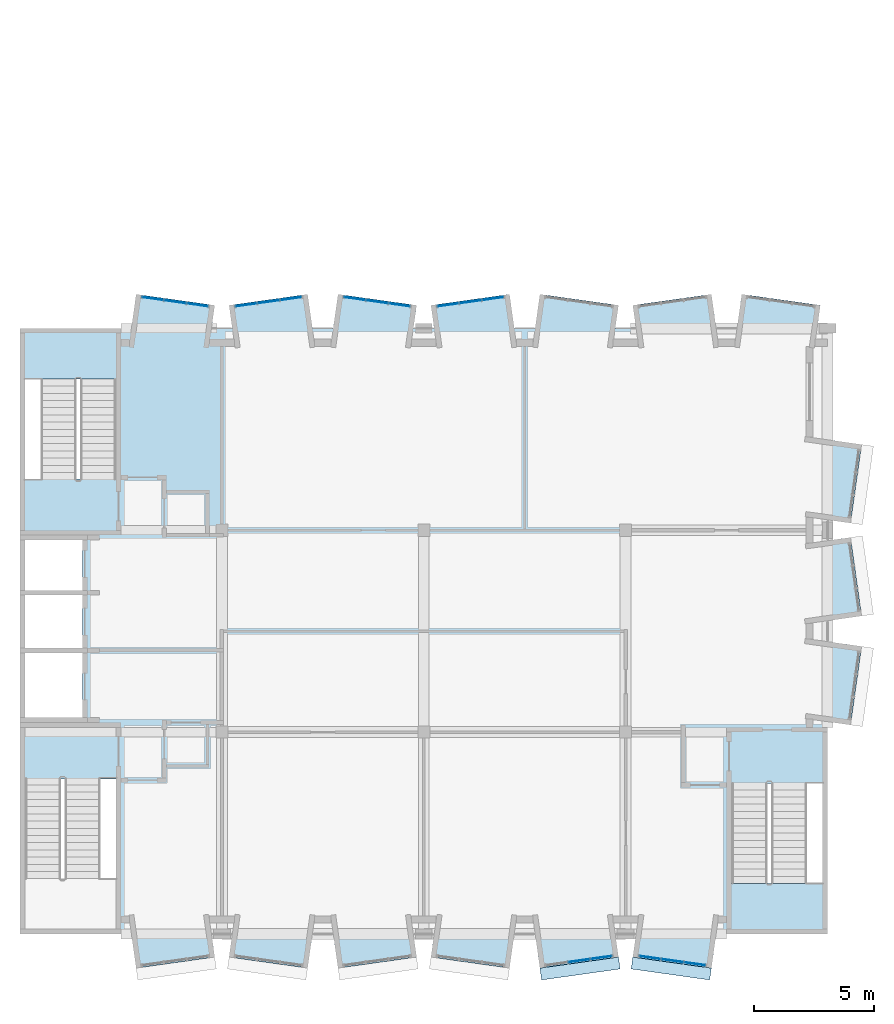
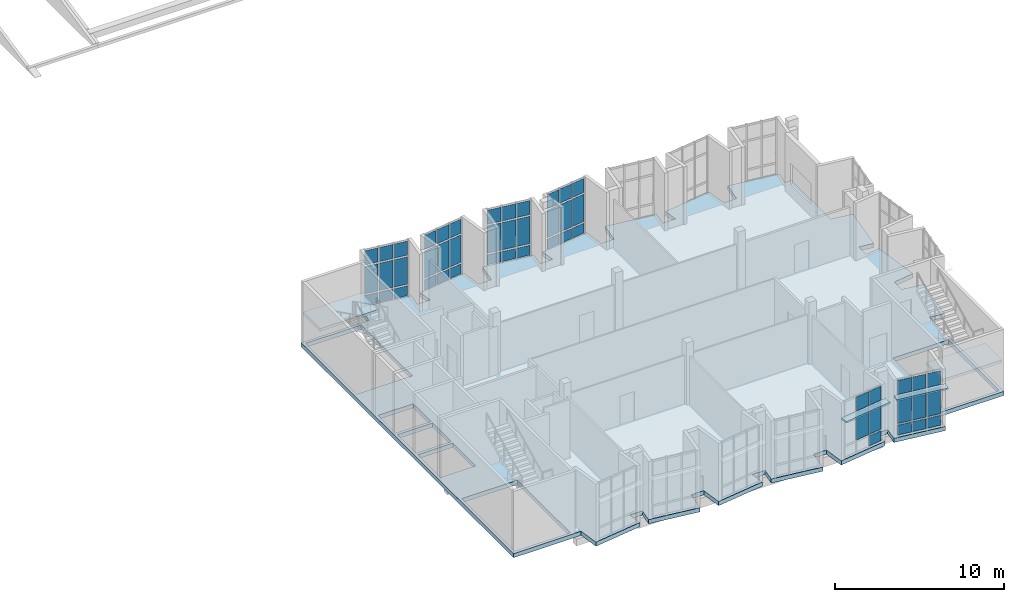
# One storey, part 9 of 18: 52 plates, 3 slabs, 8 elements without a shape of their own.
"""IFC4 building model written with IfcOpenShell, lengths in metres."""

from ifc_helpers import new_model, si_unit, direction, frame, origin, origin_2d, place, context, subcontext, project, spatial, polyline, rectangle, outline, extrude, material, layer, layer_set, type_object, element, aggregate, save


model = new_model("IFC4")

# Units and contexts
model_context = context("Model", 3, precision=1e-05, world=origin(), true_north=direction((0.0, 1.0)))
body_context = subcontext(model_context, "Body", "Model", "MODEL_VIEW")
ifc_project = project(units=[si_unit("LENGTHUNIT", "METRE"), si_unit("AREAUNIT", "SQUARE_METRE"), si_unit("VOLUMEUNIT", "CUBIC_METRE"), si_unit("PLANEANGLEUNIT", "RADIAN"), si_unit("MASSUNIT", "GRAM", prefix="KILO")], contexts=[model_context])

# Site, building, storey
site_placement = place(None, origin())
site = spatial("IfcSite", under=ifc_project, at=site_placement, CompositionType="ELEMENT")
building_placement = place(site_placement, origin())
building = spatial("IfcBuilding", under=site, at=building_placement, Name="Kiln Court Media Centre", CompositionType="ELEMENT")
storey_placement = place(building_placement, frame((0.0, 0.0, 33.60009765625)))
storey = spatial("IfcBuildingStorey", under=building, at=storey_placement, Name="L07", CompositionType="ELEMENT", Elevation=33.60009765625)

# Slab
ifc_material_1 = material(Name="Concrete C30/37", Category="concrete")
ifc_layer_1 = layer(ifc_material_1, 0.300048828125)
ifc_layer_set_1 = layer_set([ifc_layer_1], Name="Concrete C30/37 floor slab 300")
slab_type_1 = type_object("IfcSlabType", Name="Concrete C30/37 floor slab 300", PredefinedType="FLOOR", material=ifc_layer_set_1)
slab_1_placement = place(storey_placement, frame((0.0, 0.0, -0.300048828125)))
element("IfcSlab", 1, at=slab_1_placement, inside=storey, type_object=slab_type_1, Name="L07-SL-1000", PredefinedType="FLOOR", context=body_context, shape_type="SweptSolid", body=[
    extrude(outline(polyline([(4.8330078125, -1.41845703125), (4.63330078125, 0.0), (0.0, 0.0), (0.0, 25.199951171875), (4.63330078125, 25.199951171875), (4.8330078125, 26.618408203125), (8.10107421875, 26.1591796875), (7.966796875, 25.199951171875), (8.833251953125, 25.199951171875), (8.698974609375, 26.1591796875), (11.966796875, 26.618408203125), (12.166748046875, 25.199951171875), (13.033203125, 25.199951171875), (13.23291015625, 26.618408203125), (16.501220703125, 26.1591796875), (16.36669921875, 25.199951171875), (17.2333984375, 25.199951171875), (17.098876953125, 26.1591796875), (20.366943359375, 26.618408203125), (20.566650390625, 25.199951171875), (21.433349609375, 25.199951171875), (21.633056640625, 26.618408203125), (24.901123046875, 26.1591796875), (24.7666015625, 25.199951171875), (25.63330078125, 25.199951171875), (25.498779296875, 26.1591796875), (28.766845703125, 26.618408203125), (28.966796875, 25.199951171875), (29.833251953125, 25.199951171875), (30.032958984375, 26.618408203125), (33.30126953125, 26.1591796875), (33.166748046875, 25.199951171875), (33.60009765625, 25.199951171875), (33.60009765625, 20.566650390625), (35.0185546875, 20.366943359375), (34.55908203125, 17.098876953125), (33.60009765625, 17.2333984375), (33.60009765625, 16.36669921875), (34.55908203125, 16.501220703125), (35.0185546875, 13.233154296875), (33.60009765625, 13.033203125), (33.60009765625, 12.166748046875), (35.0185546875, 11.966796875), (34.55908203125, 8.698974609375), (33.60009765625, 8.833251953125), (33.60009765625, 0.0), (28.966796875, 0.0), (28.766845703125, -1.41845703125), (25.498779296875, -0.958984375), (25.63330078125, 0.0), (24.7666015625, 0.0), (24.901123046875, -0.959228515625), (21.633056640625, -1.41845703125), (21.433349609375, 0.0), (20.566650390625, 0.0), (20.366943359375, -1.41845703125), (17.098876953125, -0.958984375), (17.2333984375, 0.0), (16.36669921875, 0.0), (16.501220703125, -0.959228515625), (13.233154296875, -1.41845703125), (13.033203125, 0.0), (12.166748046875, 0.0), (11.966796875, -1.41845703125), (8.698974609375, -0.959228515625), (8.833251953125, 0.0), (7.966796875, 0.0), (8.10107421875, -0.958984375), (4.8330078125, -1.41845703125)]), holes=[polyline([(0.199951171875, 0.199951171875), (4.0, 0.199951171875), (4.0, 6.4599609375), (0.199951171875, 6.4599609375), (0.199951171875, 0.199951171875)]), polyline([(29.60009765625, 0.199951171875), (33.39990234375, 0.199951171875), (33.39990234375, 6.260009765625), (29.60009765625, 6.260009765625), (29.60009765625, 0.199951171875)]), polyline([(0.199951171875, 9.0), (2.60009765625, 9.0), (2.60009765625, 11.699951171875), (0.199951171875, 11.699951171875), (0.199951171875, 9.0)]), polyline([(0.199951171875, 11.89990234375), (2.60009765625, 11.89990234375), (2.60009765625, 14.10009765625), (0.199951171875, 14.10009765625), (0.199951171875, 11.89990234375)]), polyline([(0.199951171875, 14.300048828125), (2.60009765625, 14.300048828125), (2.60009765625, 16.39990234375), (0.199951171875, 16.39990234375), (0.199951171875, 14.300048828125)]), polyline([(0.199951171875, 18.93994140625), (4.0, 18.93994140625), (4.0, 25.0), (0.199951171875, 25.0), (0.199951171875, 18.93994140625)])]), origin(), (0.0, 0.0, 1.0), 0.300048828125),
])

# Plates
ifc_material_2 = material(Name="Concrete C30/37", Category="concrete")
ifc_layer_2 = layer(ifc_material_2, 0.1201171875)
ifc_layer_set_2 = layer_set([ifc_layer_2], Name="Concrete C30/37 sunshade hood 120")
plate_type_1 = type_object("IfcPlateType", Name="Concrete C30/37 sunshade hood 120", PredefinedType="USERDEFINED", material=ifc_layer_set_2)
plate_1_placement = place(storey_placement, frame((0.0, 0.0, 3.0)))
element("IfcPlate", 2, at=plate_1_placement, inside=storey, type_object=plate_type_1, Name="SUNSHADE V6A-S-L07-51", ObjectType="SUNSHADE", PredefinedType="USERDEFINED", context=body_context, shape_type="SweptSolid", body=[
    extrude(outline(polyline([(21.633056640625, -1.41796875), (24.90087890625, -0.958740234375), (24.970458984375, -1.453857421875), (21.70263671875, -1.9130859375), (21.633056640625, -1.41796875)])), origin(), (0.0, 0.0, 1.0), 0.119873046875),
])
plate_2_placement = place(storey_placement, frame((0.0, 0.0, 3.0)))
element("IfcPlate", 3, at=plate_2_placement, inside=storey, type_object=plate_type_1, Name="SUNSHADE V6A-S-L07-52", ObjectType="SUNSHADE", PredefinedType="USERDEFINED", context=body_context, shape_type="SweptSolid", body=[
    extrude(outline(polyline([(25.4990234375, -0.958740234375), (28.766845703125, -1.41796875), (28.697265625, -1.9130859375), (25.429443359375, -1.453857421875), (25.4990234375, -0.958740234375)])), origin(), (0.0, 0.0, 1.0), 0.119873046875),
])

# Stair, slab
ifc_material_3 = material(Name="Concrete C40/50", Category="concrete")
stair_type = type_object("IfcStairType", Name="Concrete C40/50 dog-leg stair 1500 wide, 150 riser", PredefinedType="HALF_TURN_STAIR", material=ifc_material_3)
stair_1_placement = place(storey_placement, origin())
stair_1 = element("IfcStair", 4, at=stair_1_placement, inside=storey, type_object=stair_type, Name="ST-02 L07", PredefinedType="HALF_TURN_STAIR")
ifc_material_4 = material(Name="Concrete C40/50", Category="concrete")
ifc_layer_3 = layer(ifc_material_4, 0.199951171875)
ifc_layer_set_3 = layer_set([ifc_layer_3], Name="Concrete C40/50 stair landing 200")
slab_type_2 = type_object("IfcSlabType", Name="Concrete C40/50 stair landing 200", PredefinedType="LANDING", material=ifc_layer_set_3)
slab_2_placement = place(storey_placement, frame((0.0, 0.0, 2.0498046875)))
slab_2 = element("IfcSlab", 5, at=slab_2_placement, type_object=slab_type_2, Name="L07-ST-5001 landing 5001", PredefinedType="LANDING", context=body_context, shape_type="SweptSolid", body=[
    extrude(outline(polyline([(4.1201171875, 23.10009765625), (4.1201171875, 25.1201171875), (0.080078125, 25.1201171875), (0.080078125, 23.10009765625), (4.1201171875, 23.10009765625)])), origin(), (0.0, 0.0, 1.0), 0.2001953125),
])
aggregate(stair_1, [slab_2])

stair_2_placement = place(storey_placement, origin())
stair_2 = element("IfcStair", 6, at=stair_2_placement, inside=storey, type_object=stair_type, Name="ST-03 L07", PredefinedType="HALF_TURN_STAIR")
slab_3_placement = place(storey_placement, frame((0.0, 0.0, 2.0498046875)))
slab_3 = element("IfcSlab", 7, at=slab_3_placement, type_object=slab_type_2, Name="L07-ST-5002 landing 5002", PredefinedType="LANDING", context=body_context, shape_type="SweptSolid", body=[
    extrude(outline(polyline([(29.47998046875, 2.10009765625), (29.47998046875, 0.080078125), (33.52001953125, 0.080078125), (33.52001953125, 2.10009765625), (29.47998046875, 2.10009765625)])), origin(), (0.0, 0.0, 1.0), 0.2001953125),
])
aggregate(stair_2, [slab_3])

# Curtain wall, plates
ifc_material_5 = material(Name="Aluminium 6063-T6", Category="aluminium")
ifc_layer_4 = layer(ifc_material_5, 0.1201171875)
ifc_layer_set_4 = layer_set([ifc_layer_4], Name="Aluminium unitised bay curtain wall")
curtain_wall_type = type_object("IfcCurtainWallType", Name="Aluminium unitised bay curtain wall", PredefinedType="USERDEFINED", material=ifc_layer_set_4)
curtain_wall_1_placement = place(storey_placement, origin())
curtain_wall_1 = element("IfcCurtainWall", 8, at=curtain_wall_1_placement, inside=storey, type_object=curtain_wall_type, Name="BAY V6A-N-L07-45 front", ObjectType="UNITISED CURTAIN WALL", PredefinedType="USERDEFINED")
ifc_material_6 = material(Name="Aluminium insulated spandrel", Category="aluminium")
ifc_layer_5 = layer(ifc_material_6, 0.028076171875)
ifc_layer_set_5 = layer_set([ifc_layer_5], Name="Insulated spandrel panel 28")
plate_type_2 = type_object("IfcPlateType", Name="Insulated spandrel panel 28", PredefinedType="CURTAIN_PANEL", material=ifc_layer_set_5)
plate_3_placement = place(storey_placement, frame((5.5234375, 26.440185546875, 0.1201171875), z_axis=(0.0, 0.0, 1.0), x_axis=(0.990269562409, -0.139162472554, 0.0)))
plate_3 = element("IfcPlate", 9, at=plate_3_placement, type_object=plate_type_2, Name="CW7-04 panel 1.1", PredefinedType="CURTAIN_PANEL", context=body_context, shape_type="SweptSolid", body=[
    extrude(rectangle(XDim=0.86669921875, YDim=0.028076171875, at=origin_2d()), origin(), (0.0, 0.0, 1.0), 0.719970703125),
])
plate_4_placement = place(storey_placement, frame((6.455810546875, 26.30908203125, 0.1201171875), z_axis=(0.0, 0.0, 1.0), x_axis=(0.990269562409, -0.139162472554, 0.0)))
plate_4 = element("IfcPlate", 10, at=plate_4_placement, type_object=plate_type_2, Name="CW7-04 panel 2.1", PredefinedType="CURTAIN_PANEL", context=body_context, shape_type="SweptSolid", body=[
    extrude(rectangle(XDim=0.896728515625, YDim=0.028076171875, at=origin_2d()), origin(), (0.0, 0.0, 1.0), 0.719970703125),
])
plate_5_placement = place(storey_placement, frame((7.388427734375, 26.177978515625, 0.1201171875), z_axis=(0.0, 0.0, 1.0), x_axis=(0.990269562409, -0.139162472554, 0.0)))
plate_5 = element("IfcPlate", 11, at=plate_5_placement, type_object=plate_type_2, Name="CW7-04 panel 3.1", PredefinedType="CURTAIN_PANEL", context=body_context, shape_type="SweptSolid", body=[
    extrude(rectangle(XDim=0.86669921875, YDim=0.028076171875, at=origin_2d()), origin(), (0.0, 0.0, 1.0), 0.719970703125),
])

curtain_wall_2_placement = place(storey_placement, origin())
curtain_wall_2 = element("IfcCurtainWall", 12, at=curtain_wall_2_placement, inside=storey, type_object=curtain_wall_type, Name="BAY V6A-N-L07-46 front", ObjectType="UNITISED CURTAIN WALL", PredefinedType="USERDEFINED")
plate_6_placement = place(storey_placement, frame((9.41162109375, 26.177978515625, 0.1201171875), z_axis=(0.0, 0.0, 1.0), x_axis=(0.990269562409, 0.139162472554, 0.0)))
plate_6 = element("IfcPlate", 13, at=plate_6_placement, type_object=plate_type_2, Name="CW7-05 panel 1.1", PredefinedType="CURTAIN_PANEL", context=body_context, shape_type="SweptSolid", body=[
    extrude(rectangle(XDim=0.86669921875, YDim=0.028076171875, at=origin_2d()), origin(), (0.0, 0.0, 1.0), 0.719970703125),
])
plate_7_placement = place(storey_placement, frame((10.34423828125, 26.30908203125, 0.1201171875), z_axis=(0.0, 0.0, 1.0), x_axis=(0.990269562409, 0.139162472554, 0.0)))
plate_7 = element("IfcPlate", 14, at=plate_7_placement, type_object=plate_type_2, Name="CW7-05 panel 2.1", PredefinedType="CURTAIN_PANEL", context=body_context, shape_type="SweptSolid", body=[
    extrude(rectangle(XDim=0.896728515625, YDim=0.028076171875, at=origin_2d()), origin(), (0.0, 0.0, 1.0), 0.719970703125),
])
plate_8_placement = place(storey_placement, frame((11.276611328125, 26.440185546875, 0.1201171875), z_axis=(0.0, 0.0, 1.0), x_axis=(0.990269562409, 0.139162472554, 0.0)))
plate_8 = element("IfcPlate", 15, at=plate_8_placement, type_object=plate_type_2, Name="CW7-05 panel 3.1", PredefinedType="CURTAIN_PANEL", context=body_context, shape_type="SweptSolid", body=[
    extrude(rectangle(XDim=0.86669921875, YDim=0.028076171875, at=origin_2d()), origin(), (0.0, 0.0, 1.0), 0.719970703125),
])

curtain_wall_3_placement = place(storey_placement, origin())
curtain_wall_3 = element("IfcCurtainWall", 16, at=curtain_wall_3_placement, inside=storey, type_object=curtain_wall_type, Name="BAY V6A-N-L07-47 front", ObjectType="UNITISED CURTAIN WALL", PredefinedType="USERDEFINED")
plate_9_placement = place(storey_placement, frame((13.92333984375, 26.440185546875, 0.1201171875), z_axis=(0.0, 0.0, 1.0), x_axis=(0.990269562409, -0.139162472554, 0.0)))
plate_9 = element("IfcPlate", 17, at=plate_9_placement, type_object=plate_type_2, Name="CW7-06 panel 1.1", PredefinedType="CURTAIN_PANEL", context=body_context, shape_type="SweptSolid", body=[
    extrude(rectangle(XDim=0.86669921875, YDim=0.028076171875, at=origin_2d()), origin(), (0.0, 0.0, 1.0), 0.719970703125),
])
plate_10_placement = place(storey_placement, frame((14.85595703125, 26.30908203125, 0.1201171875), z_axis=(0.0, 0.0, 1.0), x_axis=(0.990269562409, -0.139162472554, 0.0)))
plate_10 = element("IfcPlate", 18, at=plate_10_placement, type_object=plate_type_2, Name="CW7-06 panel 2.1", PredefinedType="CURTAIN_PANEL", context=body_context, shape_type="SweptSolid", body=[
    extrude(rectangle(XDim=0.896728515625, YDim=0.028076171875, at=origin_2d()), origin(), (0.0, 0.0, 1.0), 0.719970703125),
])
plate_11_placement = place(storey_placement, frame((15.788330078125, 26.177978515625, 0.1201171875), z_axis=(0.0, 0.0, 1.0), x_axis=(0.990269562409, -0.139162472554, 0.0)))
plate_11 = element("IfcPlate", 19, at=plate_11_placement, type_object=plate_type_2, Name="CW7-06 panel 3.1", PredefinedType="CURTAIN_PANEL", context=body_context, shape_type="SweptSolid", body=[
    extrude(rectangle(XDim=0.86669921875, YDim=0.028076171875, at=origin_2d()), origin(), (0.0, 0.0, 1.0), 0.719970703125),
])

curtain_wall_4_placement = place(storey_placement, origin())
curtain_wall_4 = element("IfcCurtainWall", 20, at=curtain_wall_4_placement, inside=storey, type_object=curtain_wall_type, Name="BAY V6A-N-L07-48 front", ObjectType="UNITISED CURTAIN WALL", PredefinedType="USERDEFINED")
plate_12_placement = place(storey_placement, frame((17.8115234375, 26.177978515625, 0.1201171875), z_axis=(0.0, 0.0, 1.0), x_axis=(0.990269562409, 0.139162472554, 0.0)))
plate_12 = element("IfcPlate", 21, at=plate_12_placement, type_object=plate_type_2, Name="CW7-07 panel 1.1", PredefinedType="CURTAIN_PANEL", context=body_context, shape_type="SweptSolid", body=[
    extrude(rectangle(XDim=0.86669921875, YDim=0.028076171875, at=origin_2d()), origin(), (0.0, 0.0, 1.0), 0.719970703125),
])
plate_13_placement = place(storey_placement, frame((18.744140625, 26.30908203125, 0.1201171875), z_axis=(0.0, 0.0, 1.0), x_axis=(0.990269562409, 0.139162472554, 0.0)))
plate_13 = element("IfcPlate", 22, at=plate_13_placement, type_object=plate_type_2, Name="CW7-07 panel 2.1", PredefinedType="CURTAIN_PANEL", context=body_context, shape_type="SweptSolid", body=[
    extrude(rectangle(XDim=0.896728515625, YDim=0.028076171875, at=origin_2d()), origin(), (0.0, 0.0, 1.0), 0.719970703125),
])
plate_14_placement = place(storey_placement, frame((19.6767578125, 26.440185546875, 0.1201171875), z_axis=(0.0, 0.0, 1.0), x_axis=(0.990269562409, 0.139162472554, 0.0)))
plate_14 = element("IfcPlate", 23, at=plate_14_placement, type_object=plate_type_2, Name="CW7-07 panel 3.1", PredefinedType="CURTAIN_PANEL", context=body_context, shape_type="SweptSolid", body=[
    extrude(rectangle(XDim=0.86669921875, YDim=0.028076171875, at=origin_2d()), origin(), (0.0, 0.0, 1.0), 0.719970703125),
])

# Curtain wall, plate
curtain_wall_5_placement = place(storey_placement, origin())
curtain_wall_5 = element("IfcCurtainWall", 24, at=curtain_wall_5_placement, inside=storey, type_object=curtain_wall_type, Name="BAY V6A-S-L07-51 front", ObjectType="UNITISED CURTAIN WALL", PredefinedType="USERDEFINED")
plate_15_placement = place(storey_placement, frame((24.1884765625, -0.97802734375, 0.1201171875), z_axis=(0.0, 0.0, 1.0), x_axis=(0.990269562409, 0.139162472554, 0.0)))
plate_15 = element("IfcPlate", 25, at=plate_15_placement, type_object=plate_type_2, Name="CW7-15 panel 3.1", PredefinedType="CURTAIN_PANEL", context=body_context, shape_type="SweptSolid", body=[
    extrude(rectangle(XDim=0.86669921875, YDim=0.028076171875, at=origin_2d()), origin(), (0.0, 0.0, 1.0), 0.719970703125),
])

# Curtain wall, plates
curtain_wall_6_placement = place(storey_placement, origin())
curtain_wall_6 = element("IfcCurtainWall", 26, at=curtain_wall_6_placement, inside=storey, type_object=curtain_wall_type, Name="BAY V6A-S-L07-52 front", ObjectType="UNITISED CURTAIN WALL", PredefinedType="USERDEFINED")
plate_16_placement = place(storey_placement, frame((26.211669921875, -0.97802734375, 0.1201171875), z_axis=(0.0, 0.0, 1.0), x_axis=(0.990269562409, -0.139162472554, 0.0)))
plate_16 = element("IfcPlate", 27, at=plate_16_placement, type_object=plate_type_2, Name="CW7-16 panel 1.1", PredefinedType="CURTAIN_PANEL", context=body_context, shape_type="SweptSolid", body=[
    extrude(rectangle(XDim=0.86669921875, YDim=0.028076171875, at=origin_2d()), origin(), (0.0, 0.0, 1.0), 0.719970703125),
])
plate_17_placement = place(storey_placement, frame((27.14404296875, -1.109130859375, 0.1201171875), z_axis=(0.0, 0.0, 1.0), x_axis=(0.990269562409, -0.139162472554, 0.0)))
plate_17 = element("IfcPlate", 28, at=plate_17_placement, type_object=plate_type_2, Name="CW7-16 panel 2.1", PredefinedType="CURTAIN_PANEL", context=body_context, shape_type="SweptSolid", body=[
    extrude(rectangle(XDim=0.896728515625, YDim=0.028076171875, at=origin_2d()), origin(), (0.0, 0.0, 1.0), 0.719970703125),
])
plate_18_placement = place(storey_placement, frame((28.07666015625, -1.240234375, 0.1201171875), z_axis=(0.0, 0.0, 1.0), x_axis=(0.990269562409, -0.139162472554, 0.0)))
plate_18 = element("IfcPlate", 29, at=plate_18_placement, type_object=plate_type_2, Name="CW7-16 panel 3.1", PredefinedType="CURTAIN_PANEL", context=body_context, shape_type="SweptSolid", body=[
    extrude(rectangle(XDim=0.86669921875, YDim=0.028076171875, at=origin_2d()), origin(), (0.0, 0.0, 1.0), 0.719970703125),
])

# Plate
ifc_material_7 = material(Name="Low-E double glazing", Category="glass")
ifc_layer_6 = layer(ifc_material_7, 0.028076171875)
ifc_layer_set_6 = layer_set([ifc_layer_6], Name="Low-E double glazed panel 28")
plate_type_3 = type_object("IfcPlateType", Name="Low-E double glazed panel 28", PredefinedType="CURTAIN_PANEL", material=ifc_layer_set_6)
plate_19_placement = place(storey_placement, frame((5.5234375, 26.440185546875, 0.9599609375), z_axis=(0.0, 0.0, 1.0), x_axis=(0.990269562409, -0.139162472554, 0.0)))
plate_19 = element("IfcPlate", 30, at=plate_19_placement, type_object=plate_type_3, Name="CW7-04 panel 1.2", PredefinedType="CURTAIN_PANEL", context=body_context, shape_type="SweptSolid", body=[
    extrude(rectangle(XDim=0.86669921875, YDim=0.028076171875, at=origin_2d()), origin(), (0.0, 0.0, 1.0), 1.97998046875),
])

plate_20_placement = place(storey_placement, frame((5.5234375, 26.440185546875, 3.059814453125), z_axis=(0.0, 0.0, 1.0), x_axis=(0.990269562409, -0.139162472554, 0.0)))
plate_20 = element("IfcPlate", 31, at=plate_20_placement, type_object=plate_type_3, Name="CW7-04 panel 1.3", PredefinedType="CURTAIN_PANEL", context=body_context, shape_type="SweptSolid", body=[
    extrude(rectangle(XDim=0.86669921875, YDim=0.028076171875, at=origin_2d()), origin(), (0.0, 0.0, 1.0), 1.02001953125),
])

plate_21_placement = place(storey_placement, frame((6.455810546875, 26.30908203125, 0.9599609375), z_axis=(0.0, 0.0, 1.0), x_axis=(0.990269562409, -0.139162472554, 0.0)))
plate_21 = element("IfcPlate", 32, at=plate_21_placement, type_object=plate_type_3, Name="CW7-04 panel 2.2", PredefinedType="CURTAIN_PANEL", context=body_context, shape_type="SweptSolid", body=[
    extrude(rectangle(XDim=0.896728515625, YDim=0.028076171875, at=origin_2d()), origin(), (0.0, 0.0, 1.0), 1.97998046875),
])

plate_22_placement = place(storey_placement, frame((6.455810546875, 26.30908203125, 3.059814453125), z_axis=(0.0, 0.0, 1.0), x_axis=(0.990269562409, -0.139162472554, 0.0)))
plate_22 = element("IfcPlate", 33, at=plate_22_placement, type_object=plate_type_3, Name="CW7-04 panel 2.3", PredefinedType="CURTAIN_PANEL", context=body_context, shape_type="SweptSolid", body=[
    extrude(rectangle(XDim=0.896728515625, YDim=0.028076171875, at=origin_2d()), origin(), (0.0, 0.0, 1.0), 1.02001953125),
])

plate_23_placement = place(storey_placement, frame((7.388427734375, 26.177978515625, 0.9599609375), z_axis=(0.0, 0.0, 1.0), x_axis=(0.990269562409, -0.139162472554, 0.0)))
plate_23 = element("IfcPlate", 34, at=plate_23_placement, type_object=plate_type_3, Name="CW7-04 panel 3.2", PredefinedType="CURTAIN_PANEL", context=body_context, shape_type="SweptSolid", body=[
    extrude(rectangle(XDim=0.86669921875, YDim=0.028076171875, at=origin_2d()), origin(), (0.0, 0.0, 1.0), 1.97998046875),
])

plate_24_placement = place(storey_placement, frame((7.388427734375, 26.177978515625, 3.059814453125), z_axis=(0.0, 0.0, 1.0), x_axis=(0.990269562409, -0.139162472554, 0.0)))
plate_24 = element("IfcPlate", 35, at=plate_24_placement, type_object=plate_type_3, Name="CW7-04 panel 3.3", PredefinedType="CURTAIN_PANEL", context=body_context, shape_type="SweptSolid", body=[
    extrude(rectangle(XDim=0.86669921875, YDim=0.028076171875, at=origin_2d()), origin(), (0.0, 0.0, 1.0), 1.02001953125),
])

aggregate(curtain_wall_1, [plate_3, plate_19, plate_20, plate_4, plate_21, plate_22, plate_5, plate_23, plate_24])

plate_25_placement = place(storey_placement, frame((9.41162109375, 26.177978515625, 0.9599609375), z_axis=(0.0, 0.0, 1.0), x_axis=(0.990269562409, 0.139162472554, 0.0)))
plate_25 = element("IfcPlate", 36, at=plate_25_placement, type_object=plate_type_3, Name="CW7-05 panel 1.2", PredefinedType="CURTAIN_PANEL", context=body_context, shape_type="SweptSolid", body=[
    extrude(rectangle(XDim=0.86669921875, YDim=0.028076171875, at=origin_2d()), origin(), (0.0, 0.0, 1.0), 1.97998046875),
])

plate_26_placement = place(storey_placement, frame((9.41162109375, 26.177978515625, 3.059814453125), z_axis=(0.0, 0.0, 1.0), x_axis=(0.990269562409, 0.139162472554, 0.0)))
plate_26 = element("IfcPlate", 37, at=plate_26_placement, type_object=plate_type_3, Name="CW7-05 panel 1.3", PredefinedType="CURTAIN_PANEL", context=body_context, shape_type="SweptSolid", body=[
    extrude(rectangle(XDim=0.86669921875, YDim=0.028076171875, at=origin_2d()), origin(), (0.0, 0.0, 1.0), 1.02001953125),
])

plate_27_placement = place(storey_placement, frame((10.34423828125, 26.30908203125, 0.9599609375), z_axis=(0.0, 0.0, 1.0), x_axis=(0.990269562409, 0.139162472554, 0.0)))
plate_27 = element("IfcPlate", 38, at=plate_27_placement, type_object=plate_type_3, Name="CW7-05 panel 2.2", PredefinedType="CURTAIN_PANEL", context=body_context, shape_type="SweptSolid", body=[
    extrude(rectangle(XDim=0.896728515625, YDim=0.028076171875, at=origin_2d()), origin(), (0.0, 0.0, 1.0), 1.97998046875),
])

plate_28_placement = place(storey_placement, frame((10.34423828125, 26.30908203125, 3.059814453125), z_axis=(0.0, 0.0, 1.0), x_axis=(0.990269562409, 0.139162472554, 0.0)))
plate_28 = element("IfcPlate", 39, at=plate_28_placement, type_object=plate_type_3, Name="CW7-05 panel 2.3", PredefinedType="CURTAIN_PANEL", context=body_context, shape_type="SweptSolid", body=[
    extrude(rectangle(XDim=0.896728515625, YDim=0.028076171875, at=origin_2d()), origin(), (0.0, 0.0, 1.0), 1.02001953125),
])

plate_29_placement = place(storey_placement, frame((11.276611328125, 26.440185546875, 0.9599609375), z_axis=(0.0, 0.0, 1.0), x_axis=(0.990269562409, 0.139162472554, 0.0)))
plate_29 = element("IfcPlate", 40, at=plate_29_placement, type_object=plate_type_3, Name="CW7-05 panel 3.2", PredefinedType="CURTAIN_PANEL", context=body_context, shape_type="SweptSolid", body=[
    extrude(rectangle(XDim=0.86669921875, YDim=0.028076171875, at=origin_2d()), origin(), (0.0, 0.0, 1.0), 1.97998046875),
])

plate_30_placement = place(storey_placement, frame((11.276611328125, 26.440185546875, 3.059814453125), z_axis=(0.0, 0.0, 1.0), x_axis=(0.990269562409, 0.139162472554, 0.0)))
plate_30 = element("IfcPlate", 41, at=plate_30_placement, type_object=plate_type_3, Name="CW7-05 panel 3.3", PredefinedType="CURTAIN_PANEL", context=body_context, shape_type="SweptSolid", body=[
    extrude(rectangle(XDim=0.86669921875, YDim=0.028076171875, at=origin_2d()), origin(), (0.0, 0.0, 1.0), 1.02001953125),
])

aggregate(curtain_wall_2, [plate_6, plate_25, plate_26, plate_7, plate_27, plate_28, plate_8, plate_29, plate_30])

plate_31_placement = place(storey_placement, frame((13.92333984375, 26.440185546875, 0.9599609375), z_axis=(0.0, 0.0, 1.0), x_axis=(0.990269562409, -0.139162472554, 0.0)))
plate_31 = element("IfcPlate", 42, at=plate_31_placement, type_object=plate_type_3, Name="CW7-06 panel 1.2", PredefinedType="CURTAIN_PANEL", context=body_context, shape_type="SweptSolid", body=[
    extrude(rectangle(XDim=0.86669921875, YDim=0.028076171875, at=origin_2d()), origin(), (0.0, 0.0, 1.0), 1.97998046875),
])

plate_32_placement = place(storey_placement, frame((13.92333984375, 26.440185546875, 3.059814453125), z_axis=(0.0, 0.0, 1.0), x_axis=(0.990269562409, -0.139162472554, 0.0)))
plate_32 = element("IfcPlate", 43, at=plate_32_placement, type_object=plate_type_3, Name="CW7-06 panel 1.3", PredefinedType="CURTAIN_PANEL", context=body_context, shape_type="SweptSolid", body=[
    extrude(rectangle(XDim=0.86669921875, YDim=0.028076171875, at=origin_2d()), origin(), (0.0, 0.0, 1.0), 1.02001953125),
])

plate_33_placement = place(storey_placement, frame((14.85595703125, 26.30908203125, 0.9599609375), z_axis=(0.0, 0.0, 1.0), x_axis=(0.990269562409, -0.139162472554, 0.0)))
plate_33 = element("IfcPlate", 44, at=plate_33_placement, type_object=plate_type_3, Name="CW7-06 panel 2.2", PredefinedType="CURTAIN_PANEL", context=body_context, shape_type="SweptSolid", body=[
    extrude(rectangle(XDim=0.896728515625, YDim=0.028076171875, at=origin_2d()), origin(), (0.0, 0.0, 1.0), 1.97998046875),
])

plate_34_placement = place(storey_placement, frame((14.85595703125, 26.30908203125, 3.059814453125), z_axis=(0.0, 0.0, 1.0), x_axis=(0.990269562409, -0.139162472554, 0.0)))
plate_34 = element("IfcPlate", 45, at=plate_34_placement, type_object=plate_type_3, Name="CW7-06 panel 2.3", PredefinedType="CURTAIN_PANEL", context=body_context, shape_type="SweptSolid", body=[
    extrude(rectangle(XDim=0.896728515625, YDim=0.028076171875, at=origin_2d()), origin(), (0.0, 0.0, 1.0), 1.02001953125),
])

plate_35_placement = place(storey_placement, frame((15.788330078125, 26.177978515625, 0.9599609375), z_axis=(0.0, 0.0, 1.0), x_axis=(0.990269562409, -0.139162472554, 0.0)))
plate_35 = element("IfcPlate", 46, at=plate_35_placement, type_object=plate_type_3, Name="CW7-06 panel 3.2", PredefinedType="CURTAIN_PANEL", context=body_context, shape_type="SweptSolid", body=[
    extrude(rectangle(XDim=0.86669921875, YDim=0.028076171875, at=origin_2d()), origin(), (0.0, 0.0, 1.0), 1.97998046875),
])

plate_36_placement = place(storey_placement, frame((15.788330078125, 26.177978515625, 3.059814453125), z_axis=(0.0, 0.0, 1.0), x_axis=(0.990269562409, -0.139162472554, 0.0)))
plate_36 = element("IfcPlate", 47, at=plate_36_placement, type_object=plate_type_3, Name="CW7-06 panel 3.3", PredefinedType="CURTAIN_PANEL", context=body_context, shape_type="SweptSolid", body=[
    extrude(rectangle(XDim=0.86669921875, YDim=0.028076171875, at=origin_2d()), origin(), (0.0, 0.0, 1.0), 1.02001953125),
])

aggregate(curtain_wall_3, [plate_9, plate_31, plate_32, plate_10, plate_33, plate_34, plate_11, plate_35, plate_36])

plate_37_placement = place(storey_placement, frame((17.8115234375, 26.177978515625, 0.9599609375), z_axis=(0.0, 0.0, 1.0), x_axis=(0.990269562409, 0.139162472554, 0.0)))
plate_37 = element("IfcPlate", 48, at=plate_37_placement, type_object=plate_type_3, Name="CW7-07 panel 1.2", PredefinedType="CURTAIN_PANEL", context=body_context, shape_type="SweptSolid", body=[
    extrude(rectangle(XDim=0.86669921875, YDim=0.028076171875, at=origin_2d()), origin(), (0.0, 0.0, 1.0), 1.97998046875),
])

plate_38_placement = place(storey_placement, frame((17.8115234375, 26.177978515625, 3.059814453125), z_axis=(0.0, 0.0, 1.0), x_axis=(0.990269562409, 0.139162472554, 0.0)))
plate_38 = element("IfcPlate", 49, at=plate_38_placement, type_object=plate_type_3, Name="CW7-07 panel 1.3", PredefinedType="CURTAIN_PANEL", context=body_context, shape_type="SweptSolid", body=[
    extrude(rectangle(XDim=0.86669921875, YDim=0.028076171875, at=origin_2d()), origin(), (0.0, 0.0, 1.0), 1.02001953125),
])

plate_39_placement = place(storey_placement, frame((18.744140625, 26.30908203125, 0.9599609375), z_axis=(0.0, 0.0, 1.0), x_axis=(0.990269562409, 0.139162472554, 0.0)))
plate_39 = element("IfcPlate", 50, at=plate_39_placement, type_object=plate_type_3, Name="CW7-07 panel 2.2", PredefinedType="CURTAIN_PANEL", context=body_context, shape_type="SweptSolid", body=[
    extrude(rectangle(XDim=0.896728515625, YDim=0.028076171875, at=origin_2d()), origin(), (0.0, 0.0, 1.0), 1.97998046875),
])

plate_40_placement = place(storey_placement, frame((18.744140625, 26.30908203125, 3.059814453125), z_axis=(0.0, 0.0, 1.0), x_axis=(0.990269562409, 0.139162472554, 0.0)))
plate_40 = element("IfcPlate", 51, at=plate_40_placement, type_object=plate_type_3, Name="CW7-07 panel 2.3", PredefinedType="CURTAIN_PANEL", context=body_context, shape_type="SweptSolid", body=[
    extrude(rectangle(XDim=0.896728515625, YDim=0.028076171875, at=origin_2d()), origin(), (0.0, 0.0, 1.0), 1.02001953125),
])

plate_41_placement = place(storey_placement, frame((19.6767578125, 26.440185546875, 0.9599609375), z_axis=(0.0, 0.0, 1.0), x_axis=(0.990269562409, 0.139162472554, 0.0)))
plate_41 = element("IfcPlate", 52, at=plate_41_placement, type_object=plate_type_3, Name="CW7-07 panel 3.2", PredefinedType="CURTAIN_PANEL", context=body_context, shape_type="SweptSolid", body=[
    extrude(rectangle(XDim=0.86669921875, YDim=0.028076171875, at=origin_2d()), origin(), (0.0, 0.0, 1.0), 1.97998046875),
])

plate_42_placement = place(storey_placement, frame((19.6767578125, 26.440185546875, 3.059814453125), z_axis=(0.0, 0.0, 1.0), x_axis=(0.990269562409, 0.139162472554, 0.0)))
plate_42 = element("IfcPlate", 53, at=plate_42_placement, type_object=plate_type_3, Name="CW7-07 panel 3.3", PredefinedType="CURTAIN_PANEL", context=body_context, shape_type="SweptSolid", body=[
    extrude(rectangle(XDim=0.86669921875, YDim=0.028076171875, at=origin_2d()), origin(), (0.0, 0.0, 1.0), 1.02001953125),
])

aggregate(curtain_wall_4, [plate_12, plate_37, plate_38, plate_13, plate_39, plate_40, plate_14, plate_41, plate_42])

plate_43_placement = place(storey_placement, frame((23.255859375, -1.109130859375, 0.9599609375), z_axis=(0.0, 0.0, 1.0), x_axis=(0.990269562409, 0.139162472554, 0.0)))
plate_43 = element("IfcPlate", 54, at=plate_43_placement, type_object=plate_type_3, Name="CW7-15 panel 2.2", PredefinedType="CURTAIN_PANEL", context=body_context, shape_type="SweptSolid", body=[
    extrude(rectangle(XDim=0.896728515625, YDim=0.028076171875, at=origin_2d()), origin(), (0.0, 0.0, 1.0), 1.97998046875),
])

plate_44_placement = place(storey_placement, frame((23.255859375, -1.109130859375, 3.059814453125), z_axis=(0.0, 0.0, 1.0), x_axis=(0.990269562409, 0.139162472554, 0.0)))
plate_44 = element("IfcPlate", 55, at=plate_44_placement, type_object=plate_type_3, Name="CW7-15 panel 2.3", PredefinedType="CURTAIN_PANEL", context=body_context, shape_type="SweptSolid", body=[
    extrude(rectangle(XDim=0.896728515625, YDim=0.028076171875, at=origin_2d()), origin(), (0.0, 0.0, 1.0), 1.02001953125),
])

plate_45_placement = place(storey_placement, frame((24.1884765625, -0.97802734375, 0.9599609375), z_axis=(0.0, 0.0, 1.0), x_axis=(0.990269562409, 0.139162472554, 0.0)))
plate_45 = element("IfcPlate", 56, at=plate_45_placement, type_object=plate_type_3, Name="CW7-15 panel 3.2", PredefinedType="CURTAIN_PANEL", context=body_context, shape_type="SweptSolid", body=[
    extrude(rectangle(XDim=0.86669921875, YDim=0.028076171875, at=origin_2d()), origin(), (0.0, 0.0, 1.0), 1.97998046875),
])

plate_46_placement = place(storey_placement, frame((24.1884765625, -0.97802734375, 3.059814453125), z_axis=(0.0, 0.0, 1.0), x_axis=(0.990269562409, 0.139162472554, 0.0)))
plate_46 = element("IfcPlate", 57, at=plate_46_placement, type_object=plate_type_3, Name="CW7-15 panel 3.3", PredefinedType="CURTAIN_PANEL", context=body_context, shape_type="SweptSolid", body=[
    extrude(rectangle(XDim=0.86669921875, YDim=0.028076171875, at=origin_2d()), origin(), (0.0, 0.0, 1.0), 1.02001953125),
])

aggregate(curtain_wall_5, [plate_43, plate_44, plate_15, plate_45, plate_46])

plate_47_placement = place(storey_placement, frame((26.211669921875, -0.97802734375, 0.9599609375), z_axis=(0.0, 0.0, 1.0), x_axis=(0.990269562409, -0.139162472554, 0.0)))
plate_47 = element("IfcPlate", 58, at=plate_47_placement, type_object=plate_type_3, Name="CW7-16 panel 1.2", PredefinedType="CURTAIN_PANEL", context=body_context, shape_type="SweptSolid", body=[
    extrude(rectangle(XDim=0.86669921875, YDim=0.028076171875, at=origin_2d()), origin(), (0.0, 0.0, 1.0), 1.97998046875),
])

plate_48_placement = place(storey_placement, frame((26.211669921875, -0.97802734375, 3.059814453125), z_axis=(0.0, 0.0, 1.0), x_axis=(0.990269562409, -0.139162472554, 0.0)))
plate_48 = element("IfcPlate", 59, at=plate_48_placement, type_object=plate_type_3, Name="CW7-16 panel 1.3", PredefinedType="CURTAIN_PANEL", context=body_context, shape_type="SweptSolid", body=[
    extrude(rectangle(XDim=0.86669921875, YDim=0.028076171875, at=origin_2d()), origin(), (0.0, 0.0, 1.0), 1.02001953125),
])

plate_49_placement = place(storey_placement, frame((27.14404296875, -1.109130859375, 0.9599609375), z_axis=(0.0, 0.0, 1.0), x_axis=(0.990269562409, -0.139162472554, 0.0)))
plate_49 = element("IfcPlate", 60, at=plate_49_placement, type_object=plate_type_3, Name="CW7-16 panel 2.2", PredefinedType="CURTAIN_PANEL", context=body_context, shape_type="SweptSolid", body=[
    extrude(rectangle(XDim=0.896728515625, YDim=0.028076171875, at=origin_2d()), origin(), (0.0, 0.0, 1.0), 1.97998046875),
])

plate_50_placement = place(storey_placement, frame((27.14404296875, -1.109130859375, 3.059814453125), z_axis=(0.0, 0.0, 1.0), x_axis=(0.990269562409, -0.139162472554, 0.0)))
plate_50 = element("IfcPlate", 61, at=plate_50_placement, type_object=plate_type_3, Name="CW7-16 panel 2.3", PredefinedType="CURTAIN_PANEL", context=body_context, shape_type="SweptSolid", body=[
    extrude(rectangle(XDim=0.896728515625, YDim=0.028076171875, at=origin_2d()), origin(), (0.0, 0.0, 1.0), 1.02001953125),
])

plate_51_placement = place(storey_placement, frame((28.07666015625, -1.240234375, 0.9599609375), z_axis=(0.0, 0.0, 1.0), x_axis=(0.990269562409, -0.139162472554, 0.0)))
plate_51 = element("IfcPlate", 62, at=plate_51_placement, type_object=plate_type_3, Name="CW7-16 panel 3.2", PredefinedType="CURTAIN_PANEL", context=body_context, shape_type="SweptSolid", body=[
    extrude(rectangle(XDim=0.86669921875, YDim=0.028076171875, at=origin_2d()), origin(), (0.0, 0.0, 1.0), 1.97998046875),
])

plate_52_placement = place(storey_placement, frame((28.07666015625, -1.240234375, 3.059814453125), z_axis=(0.0, 0.0, 1.0), x_axis=(0.990269562409, -0.139162472554, 0.0)))
plate_52 = element("IfcPlate", 63, at=plate_52_placement, type_object=plate_type_3, Name="CW7-16 panel 3.3", PredefinedType="CURTAIN_PANEL", context=body_context, shape_type="SweptSolid", body=[
    extrude(rectangle(XDim=0.86669921875, YDim=0.028076171875, at=origin_2d()), origin(), (0.0, 0.0, 1.0), 1.02001953125),
])

aggregate(curtain_wall_6, [plate_16, plate_47, plate_48, plate_17, plate_49, plate_50, plate_18, plate_51, plate_52])

save(model, "model.ifc")
